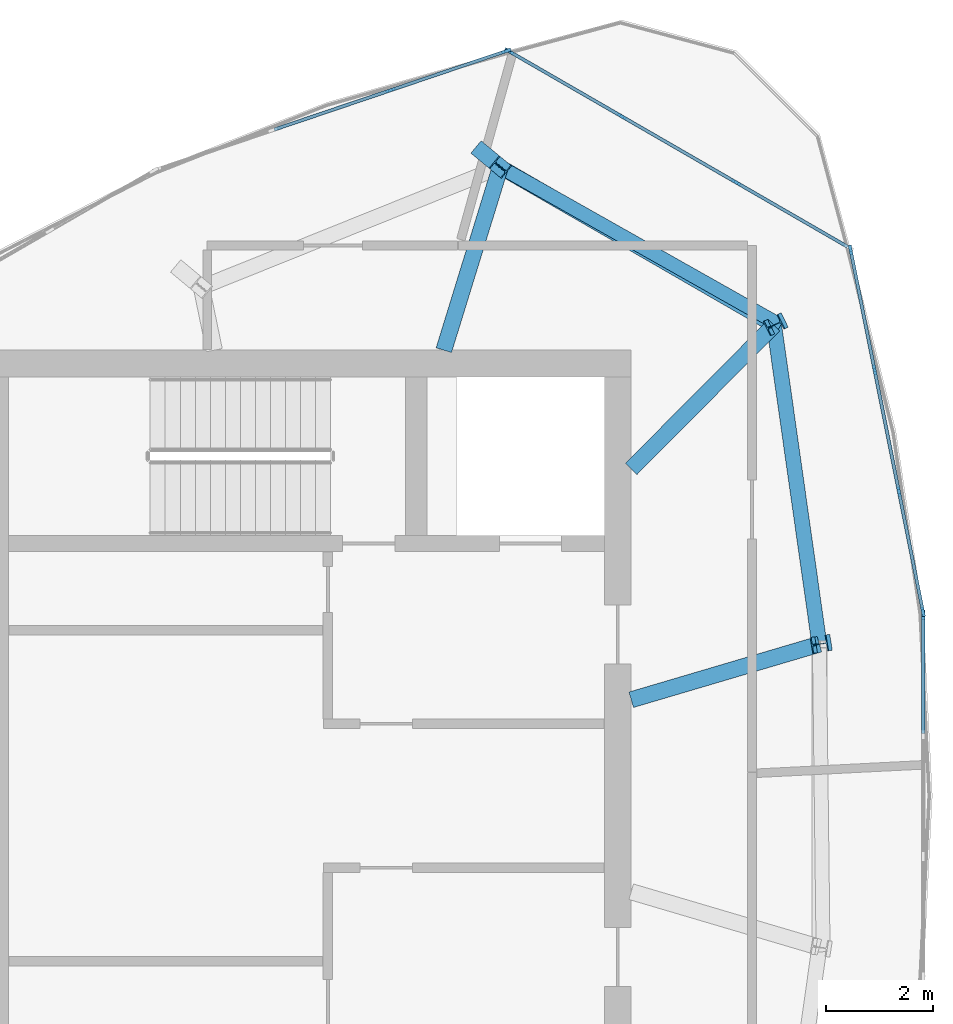
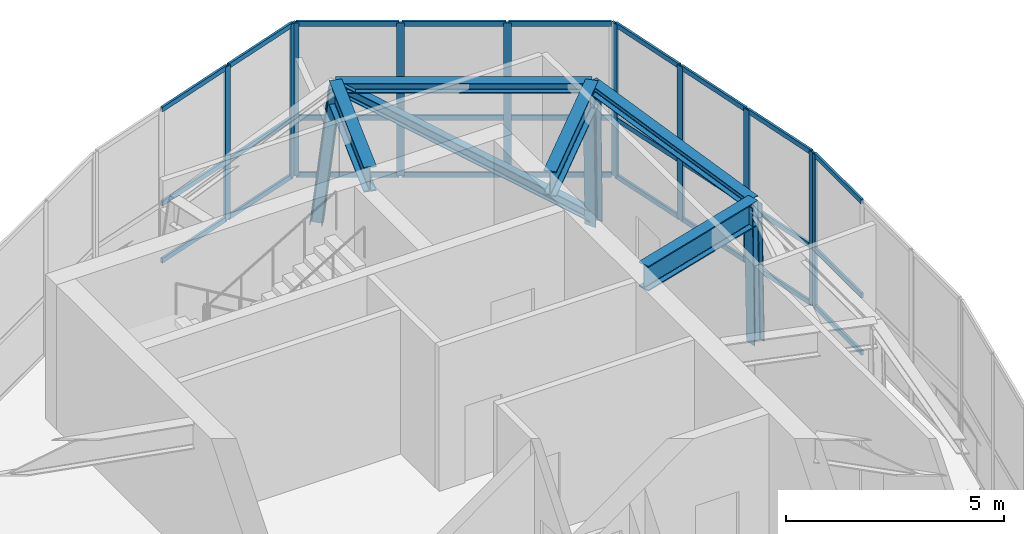
# One storey, part 4 of 10: 43 members, 3 beams, 4 elements without a shape of their own.
"""IFC4 building model written with IfcOpenShell, lengths in metres."""

from ifc_helpers import new_model, si_unit, direction, frame, origin, origin_2d, place, context, subcontext, project, spatial, rectangle, i_section, extrude, source, transform, mapped, material, layer, layer_set, material_profile, profile_set, type_object, element, aggregate, save


model = new_model("IFC4")

# Units and contexts
model_context = context("Model", 3, precision=1e-05, world=origin(), true_north=direction((0.0, 1.0)))
body_context = subcontext(model_context, "Body", "Model", "MODEL_VIEW")
ifc_project = project(units=[si_unit("LENGTHUNIT", "METRE"), si_unit("AREAUNIT", "SQUARE_METRE"), si_unit("VOLUMEUNIT", "CUBIC_METRE"), si_unit("PLANEANGLEUNIT", "RADIAN"), si_unit("MASSUNIT", "GRAM", prefix="KILO")], contexts=[model_context])

# Site, building, storey
site_placement = place(None, origin())
site = spatial("IfcSite", under=ifc_project, at=site_placement, CompositionType="ELEMENT")
building_placement = place(site_placement, origin())
building = spatial("IfcBuilding", under=site, at=building_placement, Name="Qafzar Sky-Pleat Residences", CompositionType="ELEMENT")
storey_placement = place(building_placement, frame((0.0, 0.0, 270.39990234375)))
storey = spatial("IfcBuildingStorey", under=building, at=storey_placement, Name="L80 Crown", CompositionType="ELEMENT", Elevation=270.39990234375)

# Members
ifc_material_1 = material(Name="Steel S460", Category="steel")
ifc_material_profile_1 = material_profile(ifc_material_1, i_section(OverallWidth=0.300048828125, OverallDepth=0.300048828125, WebThickness=0.010986328125, FlangeThickness=0.01904296875, FilletRadius=0.027099609375, at=origin_2d()), Name="HEB 300")
ifc_profile_set_1 = profile_set([ifc_material_profile_1], Name="Steel S460")
member_type_1 = type_object("IfcMemberType", Name="MEM-CROWN-RIB", PredefinedType="CHORD", material=ifc_profile_set_1)
shared_shape_1 = source(origin(), body_context, "Body", "SweptSolid", [
    extrude(i_section(OverallWidth=0.300048828125, OverallDepth=0.300048828125, WebThickness=0.010986328125, FlangeThickness=0.01904296875, FilletRadius=0.027099609375, at=origin_2d()), origin(), (0.0, 0.0, 1.0), 3.92041015625),
])
member_1_placement = place(storey_placement, frame((33.623779296875, 37.98974609375, 0.0), z_axis=(0.086060556338, -0.071177435524, 0.993744108569), x_axis=(0.637328040469, 0.770592608861, 0.0)))
element("IfcMember", 1, at=member_1_placement, inside=storey, type_object=member_type_1, Name="L80 Crown CROWN FRAME Inclined Rib 10", PredefinedType="CHORD", context=body_context, shape_type="MappedRepresentation", body=[
    mapped(shared_shape_1, transform((0.0, 0.0, 0.0), x_axis=(1.0, 0.0, 0.0), y_axis=(0.0, 1.0, 0.0), z_axis=(0.0, 0.0, 1.0), scale=1.0)),
])
shared_shape_2 = source(origin(), body_context, "Body", "SweptSolid", [
    extrude(i_section(OverallWidth=0.300048828125, OverallDepth=0.300048828125, WebThickness=0.010986328125, FlangeThickness=0.01904296875, FilletRadius=0.027099609375, at=origin_2d()), origin(), (0.0, 0.0, 1.0), 3.896728515625),
])
for number, where, z_axis, x_axis, name in (
    (2, (39.9736328125, 28.834716796875, 0.0), (-0.017605920467, -0.002882107977, 0.999840849845), (0.161550756622, -0.986864404584, 0.0), "L80 Crown CROWN FRAME Inclined Rib 8"),
    (3, (39.12353515625, 34.796630859375, 0.0), (-0.016039554791, -0.007831813863, 0.999840684996), (0.438769386115, -0.898599702764, 0.0), "L80 Crown CROWN FRAME Inclined Rib 9"),
):
    element("IfcMember", number, at=place(storey_placement, frame(where, z_axis=z_axis, x_axis=x_axis)), inside=storey, type_object=member_type_1, Name=name, PredefinedType="CHORD", context=body_context, shape_type="MappedRepresentation", body=[
        mapped(shared_shape_2, transform((0.0, 0.0, 0.0), x_axis=(1.0, 0.0, 0.0), y_axis=(0.0, 1.0, 0.0), z_axis=(0.0, 0.0, 1.0), scale=1.0)),
    ])
ifc_material_2 = material(Name="Steel S355", Category="steel")
ifc_material_profile_2 = material_profile(ifc_material_2, i_section(OverallWidth=0.280029296875, OverallDepth=0.280029296875, WebThickness=0.010498046875, FlangeThickness=0.01806640625, FilletRadius=0.02392578125, at=origin_2d()), Name="HEB 280")
ifc_profile_set_2 = profile_set([ifc_material_profile_2], Name="Steel S355")
member_type_2 = type_object("IfcMemberType", Name="MEM-CROWN-RING", PredefinedType="PURLIN", material=ifc_profile_set_2)
shared_shape_3 = source(origin(), body_context, "Body", "SweptSolid", [
    extrude(i_section(OverallWidth=0.280029296875, OverallDepth=0.280029296875, WebThickness=0.010498046875, FlangeThickness=0.01806640625, FilletRadius=0.02392578125, at=origin_2d()), origin(), (0.0, 0.0, 1.0), 5.888916015625),
])
member_2_placement = place(storey_placement, frame((39.06103515625, 34.76611328125, 3.906005859375), z_axis=(-0.866012294628, 0.500022705037, 0.0), x_axis=(-0.500022705037, -0.866012294628, 0.0)))
element("IfcMember", 4, at=member_2_placement, inside=storey, type_object=member_type_2, Name="L80 Crown CROWN FRAME Ring Beam 9", PredefinedType="PURLIN", context=body_context, shape_type="MappedRepresentation", body=[
    mapped(shared_shape_3, transform((0.0, 0.0, 0.0), x_axis=(1.0, 0.0, 0.0), y_axis=(0.0, 1.0, 0.0), z_axis=(0.0, 0.0, 1.0), scale=1.0)),
])
shared_shape_4 = source(origin(), body_context, "Body", "SweptSolid", [
    extrude(i_section(OverallWidth=0.280029296875, OverallDepth=0.280029296875, WebThickness=0.010498046875, FlangeThickness=0.01806640625, FilletRadius=0.02392578125, at=origin_2d()), origin(), (0.0, 0.0, 1.0), 6.002197265625),
])
member_3_placement = place(storey_placement, frame((39.905029296875, 28.823486328125, 3.906005859375), z_axis=(-0.140612694547, 0.990064679772, 0.0), x_axis=(-0.990064679772, -0.140612694547, 0.0)))
element("IfcMember", 5, at=member_3_placement, inside=storey, type_object=member_type_2, Name="L80 Crown CROWN FRAME Ring Beam 8", PredefinedType="PURLIN", context=body_context, shape_type="MappedRepresentation", body=[
    mapped(shared_shape_4, transform((0.0, 0.0, 0.0), x_axis=(1.0, 0.0, 0.0), y_axis=(0.0, 1.0, 0.0), z_axis=(0.0, 0.0, 1.0), scale=1.0)),
])
ifc_material_profile_3 = material_profile(ifc_material_2, i_section(OverallWidth=0.260009765625, OverallDepth=0.260009765625, WebThickness=0.010009765625, FlangeThickness=0.017578125, FilletRadius=0.02392578125, at=origin_2d()), Name="HEB 260")
ifc_profile_set_3 = profile_set([ifc_material_profile_3], Name="Steel S355")
member_type_3 = type_object("IfcMemberType", Name="MEM-CROWN-DIAG", PredefinedType="BRACE", material=ifc_profile_set_3)
shared_shape_5 = source(origin(), body_context, "Body", "SweptSolid", [
    extrude(i_section(OverallWidth=0.260009765625, OverallDepth=0.260009765625, WebThickness=0.010009765625, FlangeThickness=0.017578125, FilletRadius=0.02392578125, at=origin_2d()), origin(), (0.0, 0.0, 1.0), 6.996337890625),
])
member_4_placement = place(storey_placement, frame((39.12353515625, 34.796630859375, 0.2001953125), z_axis=(-0.737863354564, 0.416511563021, 0.531108075501), x_axis=(-0.49157270747, -0.870836536481, 0.0)))
element("IfcMember", 6, at=member_4_placement, inside=storey, type_object=member_type_3, Name="L80 Crown CROWN FRAME Wind Brace 9", PredefinedType="BRACE", context=body_context, shape_type="MappedRepresentation", body=[
    mapped(shared_shape_5, transform((0.0, 0.0, 0.0), x_axis=(1.0, 0.0, 0.0), y_axis=(0.0, 1.0, 0.0), z_axis=(0.0, 0.0, 1.0), scale=1.0)),
])

# Beams
ifc_material_profile_4 = material_profile(ifc_material_1, i_section(OverallWidth=0.300048828125, OverallDepth=0.699951171875, WebThickness=0.01708984375, FlangeThickness=0.031982421875, FilletRadius=0.027099609375, at=origin_2d()), Name="HEB 700")
ifc_profile_set_4 = profile_set([ifc_material_profile_4], Name="Steel S460")
beam_type = type_object("IfcBeamType", Name="BM-CHORD-HEB700", PredefinedType="BEAM", material=ifc_profile_set_4)
shared_shape_6 = source(origin(), body_context, "Body", "SweptSolid", [
    extrude(i_section(OverallWidth=0.300048828125, OverallDepth=0.699951171875, WebThickness=0.01708984375, FlangeThickness=0.031982421875, FilletRadius=0.027099609375, at=origin_2d()), origin(), (0.0, 0.0, 1.0), 3.569091796875),
])
beam_1_placement = place(storey_placement, frame((33.961181640625, 37.710693359375, 3.697998046875), z_axis=(-0.29468182556, -0.955595427827, 0.0), x_axis=(0.955595427827, -0.29468182556, 0.0)))
element("IfcBeam", 7, at=beam_1_placement, inside=storey, type_object=beam_type, Name="L81 Crown Crown Rib Base Transfer Beam 10", PredefinedType="BEAM", context=body_context, shape_type="MappedRepresentation", body=[
    mapped(shared_shape_6, transform((0.0, 0.0, 0.0), x_axis=(1.0, 0.0, 0.0), y_axis=(0.0, 1.0, 0.0), z_axis=(0.0, 0.0, 1.0), scale=1.0)),
])
shared_shape_7 = source(origin(), body_context, "Body", "SweptSolid", [
    extrude(i_section(OverallWidth=0.300048828125, OverallDepth=0.699951171875, WebThickness=0.01708984375, FlangeThickness=0.031982421875, FilletRadius=0.027099609375, at=origin_2d()), origin(), (0.0, 0.0, 1.0), 3.775146484375),
])
beam_2_placement = place(storey_placement, frame((39.06103515625, 34.76611328125, 3.697998046875), z_axis=(-0.70490457764, -0.709302147482, 0.0), x_axis=(0.709302147482, -0.70490457764, 0.0)))
element("IfcBeam", 8, at=beam_2_placement, inside=storey, type_object=beam_type, Name="L81 Crown Crown Rib Base Transfer Beam 9", PredefinedType="BEAM", context=body_context, shape_type="MappedRepresentation", body=[
    mapped(shared_shape_7, transform((0.0, 0.0, 0.0), x_axis=(1.0, 0.0, 0.0), y_axis=(0.0, 1.0, 0.0), z_axis=(0.0, 0.0, 1.0), scale=1.0)),
])
shared_shape_8 = source(origin(), body_context, "Body", "SweptSolid", [
    extrude(i_section(OverallWidth=0.300048828125, OverallDepth=0.699951171875, WebThickness=0.01708984375, FlangeThickness=0.031982421875, FilletRadius=0.027099609375, at=origin_2d()), origin(), (0.0, 0.0, 1.0), 3.655029296875),
])
beam_3_placement = place(storey_placement, frame((39.905029296875, 28.823486328125, 3.697998046875), z_axis=(-0.959014820317, -0.28335591473, 0.0), x_axis=(0.28335591473, -0.959014820317, 0.0)))
element("IfcBeam", 9, at=beam_3_placement, inside=storey, type_object=beam_type, Name="L81 Crown Crown Rib Base Transfer Beam 8", PredefinedType="BEAM", context=body_context, shape_type="MappedRepresentation", body=[
    mapped(shared_shape_8, transform((0.0, 0.0, 0.0), x_axis=(1.0, 0.0, 0.0), y_axis=(0.0, 1.0, 0.0), z_axis=(0.0, 0.0, 1.0), scale=1.0)),
])

# Curtain wall, member
ifc_material_3 = material(Name="Anodised bronze aluminium framing", Category="aluminium")
ifc_layer = layer(ifc_material_3, 0.179931640625)
ifc_layer_set = layer_set([ifc_layer], Name="Anodised bronze aluminium framing")
curtain_wall_type = type_object("IfcCurtainWallType", Name="CW-SYS-06", PredefinedType="NOTDEFINED", material=ifc_layer_set)
curtain_wall_1_placement = place(storey_placement, origin())
curtain_wall_1 = element("IfcCurtainWall", 10, at=curtain_wall_1_placement, inside=storey, type_object=curtain_wall_type, Name="L80 Crown CW-06 Curtain Wall CW-CROWN-05-07", PredefinedType="NOTDEFINED")
ifc_material_4 = material(Name="Anodised bronze aluminium", Category="aluminium")
ifc_material_profile_5 = material_profile(ifc_material_4, rectangle(XDim=0.06005859375, YDim=0.179931640625, at=origin_2d()), Name="ALU MULLION 60x180")
ifc_profile_set_5 = profile_set([ifc_material_profile_5], Name="Anodised bronze aluminium")
member_type_4 = type_object("IfcMemberType", Name="CWM-06", PredefinedType="MULLION", material=ifc_profile_set_5)
shared_shape_9 = source(origin(), body_context, "Body", "SweptSolid", [
    extrude(rectangle(XDim=0.06005859375, YDim=0.179931640625, at=origin_2d()), origin(), (0.0, 0.0, 1.0), 4.300048828125),
])
member_5_placement = place(storey_placement, frame((41.840087890625, 29.368896484375, 0.0), z_axis=(0.0, 0.0, 1.0), x_axis=(-1.0, 0.0, 0.0)))
member_5 = element("IfcMember", 11, at=member_5_placement, type_object=member_type_4, Name="CW-06 mullion 4", PredefinedType="MULLION", context=body_context, shape_type="MappedRepresentation", body=[
    mapped(shared_shape_9, transform((0.0, 0.0, 0.0), x_axis=(1.0, 0.0, 0.0), y_axis=(0.0, 1.0, 0.0), z_axis=(0.0, 0.0, 1.0), scale=1.0)),
])

# Curtain wall, members
curtain_wall_2_placement = place(storey_placement, origin())
curtain_wall_2 = element("IfcCurtainWall", 12, at=curtain_wall_2_placement, inside=storey, type_object=curtain_wall_type, Name="L80 Crown CW-06 Curtain Wall CW-CROWN-05-08", PredefinedType="NOTDEFINED")
member_6_placement = place(storey_placement, frame((41.834228515625, 29.428466796875, 0.0), z_axis=(0.0, 0.0, 1.0), x_axis=(-0.980580675691, -0.196116135138, 0.0)))
member_6 = element("IfcMember", 13, at=member_6_placement, type_object=member_type_4, Name="CW-06 mullion 1", PredefinedType="MULLION", context=body_context, shape_type="MappedRepresentation", body=[
    mapped(shared_shape_9, transform((0.0, 0.0, 0.0), x_axis=(1.0, 0.0, 0.0), y_axis=(0.0, 1.0, 0.0), z_axis=(0.0, 0.0, 1.0), scale=1.0)),
])
member_7_placement = place(storey_placement, frame((41.386962890625, 31.6650390625, 0.0), z_axis=(0.0, 0.0, 1.0), x_axis=(-0.980580675691, -0.196116135138, 0.0)))
member_7 = element("IfcMember", 14, at=member_7_placement, type_object=member_type_4, Name="CW-06 mullion 2", PredefinedType="MULLION", context=body_context, shape_type="MappedRepresentation", body=[
    mapped(shared_shape_9, transform((0.0, 0.0, 0.0), x_axis=(1.0, 0.0, 0.0), y_axis=(0.0, 1.0, 0.0), z_axis=(0.0, 0.0, 1.0), scale=1.0)),
])
member_8_placement = place(storey_placement, frame((40.933837890625, 33.930908203125, 0.0), z_axis=(0.0, 0.0, 1.0), x_axis=(-0.980580675691, -0.196116135138, 0.0)))
member_8 = element("IfcMember", 15, at=member_8_placement, type_object=member_type_4, Name="CW-06 mullion 3", PredefinedType="MULLION", context=body_context, shape_type="MappedRepresentation", body=[
    mapped(shared_shape_9, transform((0.0, 0.0, 0.0), x_axis=(1.0, 0.0, 0.0), y_axis=(0.0, 1.0, 0.0), z_axis=(0.0, 0.0, 1.0), scale=1.0)),
])
member_9_placement = place(storey_placement, frame((40.486572265625, 36.16748046875, 0.0), z_axis=(0.0, 0.0, 1.0), x_axis=(-0.980580675691, -0.196116135138, 0.0)))
member_9 = element("IfcMember", 16, at=member_9_placement, type_object=member_type_4, Name="CW-06 mullion 4", PredefinedType="MULLION", context=body_context, shape_type="MappedRepresentation", body=[
    mapped(shared_shape_9, transform((0.0, 0.0, 0.0), x_axis=(1.0, 0.0, 0.0), y_axis=(0.0, 1.0, 0.0), z_axis=(0.0, 0.0, 1.0), scale=1.0)),
])

curtain_wall_3_placement = place(storey_placement, origin())
curtain_wall_3 = element("IfcCurtainWall", 17, at=curtain_wall_3_placement, inside=storey, type_object=curtain_wall_type, Name="L80 Crown CW-06 Curtain Wall CW-CROWN-05-09", PredefinedType="NOTDEFINED")
member_10_placement = place(storey_placement, frame((38.35400390625, 37.4248046875, 0.0), z_axis=(0.0, 0.0, 1.0), x_axis=(-0.500000537791, -0.86602509329, 0.0)))
member_10 = element("IfcMember", 18, at=member_10_placement, type_object=member_type_4, Name="CW-06 mullion 2", PredefinedType="MULLION", context=body_context, shape_type="MappedRepresentation", body=[
    mapped(shared_shape_9, transform((0.0, 0.0, 0.0), x_axis=(1.0, 0.0, 0.0), y_axis=(0.0, 1.0, 0.0), z_axis=(0.0, 0.0, 1.0), scale=1.0)),
])
member_11_placement = place(storey_placement, frame((36.227294921875, 38.652587890625, 0.0), z_axis=(0.0, 0.0, 1.0), x_axis=(-0.500000537791, -0.86602509329, 0.0)))
member_11 = element("IfcMember", 19, at=member_11_placement, type_object=member_type_4, Name="CW-06 mullion 3", PredefinedType="MULLION", context=body_context, shape_type="MappedRepresentation", body=[
    mapped(shared_shape_9, transform((0.0, 0.0, 0.0), x_axis=(1.0, 0.0, 0.0), y_axis=(0.0, 1.0, 0.0), z_axis=(0.0, 0.0, 1.0), scale=1.0)),
])
member_12_placement = place(storey_placement, frame((34.12646484375, 39.865478515625, 0.0), z_axis=(0.0, 0.0, 1.0), x_axis=(-0.500000537791, -0.86602509329, 0.0)))
member_12 = element("IfcMember", 20, at=member_12_placement, type_object=member_type_4, Name="CW-06 mullion 4", PredefinedType="MULLION", context=body_context, shape_type="MappedRepresentation", body=[
    mapped(shared_shape_9, transform((0.0, 0.0, 0.0), x_axis=(1.0, 0.0, 0.0), y_axis=(0.0, 1.0, 0.0), z_axis=(0.0, 0.0, 1.0), scale=1.0)),
])

curtain_wall_4_placement = place(storey_placement, origin())
curtain_wall_4 = element("IfcCurtainWall", 21, at=curtain_wall_4_placement, inside=storey, type_object=curtain_wall_type, Name="L80 Crown CW-06 Curtain Wall CW-CROWN-05-10", PredefinedType="NOTDEFINED")
member_13_placement = place(storey_placement, frame((34.072265625, 39.870849609375, 0.0), z_axis=(0.0, 0.0, 1.0), x_axis=(0.320439473508, -0.947268992324, 0.0)))
member_13 = element("IfcMember", 22, at=member_13_placement, type_object=member_type_4, Name="CW-06 mullion 1", PredefinedType="MULLION", context=body_context, shape_type="MappedRepresentation", body=[
    mapped(shared_shape_9, transform((0.0, 0.0, 0.0), x_axis=(1.0, 0.0, 0.0), y_axis=(0.0, 1.0, 0.0), z_axis=(0.0, 0.0, 1.0), scale=1.0)),
])
member_14_placement = place(storey_placement, frame((31.91162109375, 39.139892578125, 0.0), z_axis=(0.0, 0.0, 1.0), x_axis=(0.320439473508, -0.947268992324, 0.0)))
member_14 = element("IfcMember", 23, at=member_14_placement, type_object=member_type_4, Name="CW-06 mullion 2", PredefinedType="MULLION", context=body_context, shape_type="MappedRepresentation", body=[
    mapped(shared_shape_9, transform((0.0, 0.0, 0.0), x_axis=(1.0, 0.0, 0.0), y_axis=(0.0, 1.0, 0.0), z_axis=(0.0, 0.0, 1.0), scale=1.0)),
])

# Member
ifc_material_profile_6 = material_profile(ifc_material_4, rectangle(XDim=0.06005859375, YDim=0.135009765625, at=origin_2d()), Name="ALU TRANSOM 60x135")
ifc_profile_set_6 = profile_set([ifc_material_profile_6], Name="Anodised bronze aluminium")
member_type_5 = type_object("IfcMemberType", Name="CWT-06", PredefinedType="USERDEFINED", material=ifc_profile_set_6)
shared_shape_10 = source(origin(), body_context, "Body", "SweptSolid", [
    extrude(rectangle(XDim=0.06005859375, YDim=0.135009765625, at=origin_2d()), origin(), (0.0, 0.0, 1.0), 2.36572265625),
])
member_15_placement = place(storey_placement, frame((40.4287109375, 36.22705078125, 0.030029296875), z_axis=(-0.866030920585, 0.499990444499, 0.0), x_axis=(-0.499990444499, -0.866030920585, 0.0)))
member_15 = element("IfcMember", 24, at=member_15_placement, type_object=member_type_5, Name="CW-06 transom 1.1", ObjectType="TRANSOM", PredefinedType="USERDEFINED", context=body_context, shape_type="MappedRepresentation", body=[
    mapped(shared_shape_10, transform((0.0, 0.0, 0.0), x_axis=(1.0, 0.0, 0.0), y_axis=(0.0, 1.0, 0.0), z_axis=(0.0, 0.0, 1.0), scale=1.0)),
])

member_16_placement = place(storey_placement, frame((40.4287109375, 36.22705078125, 1.634033203125), z_axis=(-0.866030920585, 0.499990444499, 0.0), x_axis=(-0.499990444499, -0.866030920585, 0.0)))
member_16 = element("IfcMember", 25, at=member_16_placement, type_object=member_type_5, Name="CW-06 transom 1.2", ObjectType="TRANSOM", PredefinedType="USERDEFINED", context=body_context, shape_type="MappedRepresentation", body=[
    mapped(shared_shape_10, transform((0.0, 0.0, 0.0), x_axis=(1.0, 0.0, 0.0), y_axis=(0.0, 1.0, 0.0), z_axis=(0.0, 0.0, 1.0), scale=1.0)),
])

member_17_placement = place(storey_placement, frame((40.4287109375, 36.22705078125, 4.27001953125), z_axis=(-0.866030920585, 0.499990444499, 0.0), x_axis=(-0.499990444499, -0.866030920585, 0.0)))
member_17 = element("IfcMember", 26, at=member_17_placement, type_object=member_type_5, Name="CW-06 transom 1.3", ObjectType="TRANSOM", PredefinedType="USERDEFINED", context=body_context, shape_type="MappedRepresentation", body=[
    mapped(shared_shape_10, transform((0.0, 0.0, 0.0), x_axis=(1.0, 0.0, 0.0), y_axis=(0.0, 1.0, 0.0), z_axis=(0.0, 0.0, 1.0), scale=1.0)),
])

shared_shape_11 = source(origin(), body_context, "Body", "SweptSolid", [
    extrude(rectangle(XDim=0.06005859375, YDim=0.135009765625, at=origin_2d()), origin(), (0.0, 0.0, 1.0), 2.3955078125),
])
member_18_placement = place(storey_placement, frame((38.327880859375, 37.43994140625, 0.030029296875), z_axis=(-0.866039638822, 0.499975343382, 0.0), x_axis=(-0.499975343382, -0.866039638822, 0.0)))
member_18 = element("IfcMember", 27, at=member_18_placement, type_object=member_type_5, Name="CW-06 transom 2.1", ObjectType="TRANSOM", PredefinedType="USERDEFINED", context=body_context, shape_type="MappedRepresentation", body=[
    mapped(shared_shape_11, transform((0.0, 0.0, 0.0), x_axis=(1.0, 0.0, 0.0), y_axis=(0.0, 1.0, 0.0), z_axis=(0.0, 0.0, 1.0), scale=1.0)),
])

member_19_placement = place(storey_placement, frame((38.327880859375, 37.43994140625, 1.634033203125), z_axis=(-0.866039638822, 0.499975343382, 0.0), x_axis=(-0.499975343382, -0.866039638822, 0.0)))
member_19 = element("IfcMember", 28, at=member_19_placement, type_object=member_type_5, Name="CW-06 transom 2.2", ObjectType="TRANSOM", PredefinedType="USERDEFINED", context=body_context, shape_type="MappedRepresentation", body=[
    mapped(shared_shape_11, transform((0.0, 0.0, 0.0), x_axis=(1.0, 0.0, 0.0), y_axis=(0.0, 1.0, 0.0), z_axis=(0.0, 0.0, 1.0), scale=1.0)),
])

member_20_placement = place(storey_placement, frame((38.327880859375, 37.43994140625, 4.27001953125), z_axis=(-0.866039638822, 0.499975343382, 0.0), x_axis=(-0.499975343382, -0.866039638822, 0.0)))
member_20 = element("IfcMember", 29, at=member_20_placement, type_object=member_type_5, Name="CW-06 transom 2.3", ObjectType="TRANSOM", PredefinedType="USERDEFINED", context=body_context, shape_type="MappedRepresentation", body=[
    mapped(shared_shape_11, transform((0.0, 0.0, 0.0), x_axis=(1.0, 0.0, 0.0), y_axis=(0.0, 1.0, 0.0), z_axis=(0.0, 0.0, 1.0), scale=1.0)),
])

shared_shape_12 = source(origin(), body_context, "Body", "SweptSolid", [
    extrude(rectangle(XDim=0.06005859375, YDim=0.135009765625, at=origin_2d()), origin(), (0.0, 0.0, 1.0), 2.220947265625),
])
member_21_placement = place(storey_placement, frame((41.828369140625, 29.457763671875, 0.030029296875), z_axis=(-0.196116135138, 0.980580675691, 0.0), x_axis=(-0.980580675691, -0.196116135138, 0.0)))
member_21 = element("IfcMember", 30, at=member_21_placement, type_object=member_type_5, Name="CW-06 transom 1.1", ObjectType="TRANSOM", PredefinedType="USERDEFINED", context=body_context, shape_type="MappedRepresentation", body=[
    mapped(shared_shape_12, transform((0.0, 0.0, 0.0), x_axis=(1.0, 0.0, 0.0), y_axis=(0.0, 1.0, 0.0), z_axis=(0.0, 0.0, 1.0), scale=1.0)),
])

member_22_placement = place(storey_placement, frame((41.828369140625, 29.457763671875, 1.634033203125), z_axis=(-0.196116135138, 0.980580675691, 0.0), x_axis=(-0.980580675691, -0.196116135138, 0.0)))
member_22 = element("IfcMember", 31, at=member_22_placement, type_object=member_type_5, Name="CW-06 transom 1.2", ObjectType="TRANSOM", PredefinedType="USERDEFINED", context=body_context, shape_type="MappedRepresentation", body=[
    mapped(shared_shape_12, transform((0.0, 0.0, 0.0), x_axis=(1.0, 0.0, 0.0), y_axis=(0.0, 1.0, 0.0), z_axis=(0.0, 0.0, 1.0), scale=1.0)),
])

member_23_placement = place(storey_placement, frame((41.828369140625, 29.457763671875, 4.27001953125), z_axis=(-0.196116135138, 0.980580675691, 0.0), x_axis=(-0.980580675691, -0.196116135138, 0.0)))
member_23 = element("IfcMember", 32, at=member_23_placement, type_object=member_type_5, Name="CW-06 transom 1.3", ObjectType="TRANSOM", PredefinedType="USERDEFINED", context=body_context, shape_type="MappedRepresentation", body=[
    mapped(shared_shape_12, transform((0.0, 0.0, 0.0), x_axis=(1.0, 0.0, 0.0), y_axis=(0.0, 1.0, 0.0), z_axis=(0.0, 0.0, 1.0), scale=1.0)),
])

member_24_placement = place(storey_placement, frame((40.927978515625, 33.96044921875, 0.030029296875), z_axis=(-0.196116135138, 0.980580675691, 0.0), x_axis=(-0.980580675691, -0.196116135138, 0.0)))
member_24 = element("IfcMember", 33, at=member_24_placement, type_object=member_type_5, Name="CW-06 transom 3.1", ObjectType="TRANSOM", PredefinedType="USERDEFINED", context=body_context, shape_type="MappedRepresentation", body=[
    mapped(shared_shape_12, transform((0.0, 0.0, 0.0), x_axis=(1.0, 0.0, 0.0), y_axis=(0.0, 1.0, 0.0), z_axis=(0.0, 0.0, 1.0), scale=1.0)),
])

member_25_placement = place(storey_placement, frame((40.927978515625, 33.96044921875, 1.634033203125), z_axis=(-0.196116135138, 0.980580675691, 0.0), x_axis=(-0.980580675691, -0.196116135138, 0.0)))
member_25 = element("IfcMember", 34, at=member_25_placement, type_object=member_type_5, Name="CW-06 transom 3.2", ObjectType="TRANSOM", PredefinedType="USERDEFINED", context=body_context, shape_type="MappedRepresentation", body=[
    mapped(shared_shape_12, transform((0.0, 0.0, 0.0), x_axis=(1.0, 0.0, 0.0), y_axis=(0.0, 1.0, 0.0), z_axis=(0.0, 0.0, 1.0), scale=1.0)),
])

member_26_placement = place(storey_placement, frame((40.927978515625, 33.96044921875, 4.27001953125), z_axis=(-0.196116135138, 0.980580675691, 0.0), x_axis=(-0.980580675691, -0.196116135138, 0.0)))
member_26 = element("IfcMember", 35, at=member_26_placement, type_object=member_type_5, Name="CW-06 transom 3.3", ObjectType="TRANSOM", PredefinedType="USERDEFINED", context=body_context, shape_type="MappedRepresentation", body=[
    mapped(shared_shape_12, transform((0.0, 0.0, 0.0), x_axis=(1.0, 0.0, 0.0), y_axis=(0.0, 1.0, 0.0), z_axis=(0.0, 0.0, 1.0), scale=1.0)),
])

member_27_placement = place(storey_placement, frame((34.043701171875, 39.861328125, 0.030029296875), z_axis=(-0.947266802328, -0.320445947405, 0.0), x_axis=(0.320445947405, -0.947266802328, 0.0)))
member_27 = element("IfcMember", 36, at=member_27_placement, type_object=member_type_5, Name="CW-06 transom 1.1", ObjectType="TRANSOM", PredefinedType="USERDEFINED", context=body_context, shape_type="MappedRepresentation", body=[
    mapped(shared_shape_12, transform((0.0, 0.0, 0.0), x_axis=(1.0, 0.0, 0.0), y_axis=(0.0, 1.0, 0.0), z_axis=(0.0, 0.0, 1.0), scale=1.0)),
])

member_28_placement = place(storey_placement, frame((34.043701171875, 39.861328125, 1.634033203125), z_axis=(-0.947266802328, -0.320445947405, 0.0), x_axis=(0.320445947405, -0.947266802328, 0.0)))
member_28 = element("IfcMember", 37, at=member_28_placement, type_object=member_type_5, Name="CW-06 transom 1.2", ObjectType="TRANSOM", PredefinedType="USERDEFINED", context=body_context, shape_type="MappedRepresentation", body=[
    mapped(shared_shape_12, transform((0.0, 0.0, 0.0), x_axis=(1.0, 0.0, 0.0), y_axis=(0.0, 1.0, 0.0), z_axis=(0.0, 0.0, 1.0), scale=1.0)),
])

member_29_placement = place(storey_placement, frame((34.043701171875, 39.861328125, 4.27001953125), z_axis=(-0.947266802328, -0.320445947405, 0.0), x_axis=(0.320445947405, -0.947266802328, 0.0)))
member_29 = element("IfcMember", 38, at=member_29_placement, type_object=member_type_5, Name="CW-06 transom 1.3", ObjectType="TRANSOM", PredefinedType="USERDEFINED", context=body_context, shape_type="MappedRepresentation", body=[
    mapped(shared_shape_12, transform((0.0, 0.0, 0.0), x_axis=(1.0, 0.0, 0.0), y_axis=(0.0, 1.0, 0.0), z_axis=(0.0, 0.0, 1.0), scale=1.0)),
])

shared_shape_13 = source(origin(), body_context, "Body", "SweptSolid", [
    extrude(rectangle(XDim=0.06005859375, YDim=0.135009765625, at=origin_2d()), origin(), (0.0, 0.0, 1.0), 2.250732421875),
])
member_30_placement = place(storey_placement, frame((31.883056640625, 39.13037109375, 0.030029296875), z_axis=(-0.947274738372, -0.320422486792, 0.0), x_axis=(0.320422486792, -0.947274738372, 0.0)))
member_30 = element("IfcMember", 39, at=member_30_placement, type_object=member_type_5, Name="CW-06 transom 2.1", ObjectType="TRANSOM", PredefinedType="USERDEFINED", context=body_context, shape_type="MappedRepresentation", body=[
    mapped(shared_shape_13, transform((0.0, 0.0, 0.0), x_axis=(1.0, 0.0, 0.0), y_axis=(0.0, 1.0, 0.0), z_axis=(0.0, 0.0, 1.0), scale=1.0)),
])

member_31_placement = place(storey_placement, frame((31.883056640625, 39.13037109375, 1.634033203125), z_axis=(-0.947274738372, -0.320422486792, 0.0), x_axis=(0.320422486792, -0.947274738372, 0.0)))
member_31 = element("IfcMember", 40, at=member_31_placement, type_object=member_type_5, Name="CW-06 transom 2.2", ObjectType="TRANSOM", PredefinedType="USERDEFINED", context=body_context, shape_type="MappedRepresentation", body=[
    mapped(shared_shape_13, transform((0.0, 0.0, 0.0), x_axis=(1.0, 0.0, 0.0), y_axis=(0.0, 1.0, 0.0), z_axis=(0.0, 0.0, 1.0), scale=1.0)),
])

member_32_placement = place(storey_placement, frame((31.883056640625, 39.13037109375, 4.27001953125), z_axis=(-0.947274738372, -0.320422486792, 0.0), x_axis=(0.320422486792, -0.947274738372, 0.0)))
member_32 = element("IfcMember", 41, at=member_32_placement, type_object=member_type_5, Name="CW-06 transom 2.3", ObjectType="TRANSOM", PredefinedType="USERDEFINED", context=body_context, shape_type="MappedRepresentation", body=[
    mapped(shared_shape_13, transform((0.0, 0.0, 0.0), x_axis=(1.0, 0.0, 0.0), y_axis=(0.0, 1.0, 0.0), z_axis=(0.0, 0.0, 1.0), scale=1.0)),
])

aggregate(curtain_wall_4, [member_13, member_14, member_27, member_28, member_29, member_30, member_31, member_32])

shared_shape_14 = source(origin(), body_context, "Body", "SweptSolid", [
    extrude(rectangle(XDim=0.06005859375, YDim=0.135009765625, at=origin_2d()), origin(), (0.0, 0.0, 1.0), 2.176025390625),
])
member_33_placement = place(storey_placement, frame((41.840087890625, 27.1630859375, 0.030029296875), z_axis=(0.0, 1.0, 0.0), x_axis=(-1.0, 0.0, 0.0)))
member_33 = element("IfcMember", 42, at=member_33_placement, type_object=member_type_5, Name="CW-06 transom 3.1", ObjectType="TRANSOM", PredefinedType="USERDEFINED", context=body_context, shape_type="MappedRepresentation", body=[
    mapped(shared_shape_14, transform((0.0, 0.0, 0.0), x_axis=(1.0, 0.0, 0.0), y_axis=(0.0, 1.0, 0.0), z_axis=(0.0, 0.0, 1.0), scale=1.0)),
])

member_34_placement = place(storey_placement, frame((41.840087890625, 27.1630859375, 1.634033203125), z_axis=(0.0, 1.0, 0.0), x_axis=(-1.0, 0.0, 0.0)))
member_34 = element("IfcMember", 43, at=member_34_placement, type_object=member_type_5, Name="CW-06 transom 3.2", ObjectType="TRANSOM", PredefinedType="USERDEFINED", context=body_context, shape_type="MappedRepresentation", body=[
    mapped(shared_shape_14, transform((0.0, 0.0, 0.0), x_axis=(1.0, 0.0, 0.0), y_axis=(0.0, 1.0, 0.0), z_axis=(0.0, 0.0, 1.0), scale=1.0)),
])

member_35_placement = place(storey_placement, frame((41.840087890625, 27.1630859375, 4.27001953125), z_axis=(0.0, 1.0, 0.0), x_axis=(-1.0, 0.0, 0.0)))
member_35 = element("IfcMember", 44, at=member_35_placement, type_object=member_type_5, Name="CW-06 transom 3.3", ObjectType="TRANSOM", PredefinedType="USERDEFINED", context=body_context, shape_type="MappedRepresentation", body=[
    mapped(shared_shape_14, transform((0.0, 0.0, 0.0), x_axis=(1.0, 0.0, 0.0), y_axis=(0.0, 1.0, 0.0), z_axis=(0.0, 0.0, 1.0), scale=1.0)),
])

aggregate(curtain_wall_1, [member_5, member_33, member_34, member_35])

shared_shape_15 = source(origin(), body_context, "Body", "SweptSolid", [
    extrude(rectangle(XDim=0.06005859375, YDim=0.135009765625, at=origin_2d()), origin(), (0.0, 0.0, 1.0), 2.365478515625),
])
member_36_placement = place(storey_placement, frame((36.201171875, 38.667724609375, 0.030029296875), z_axis=(-0.866005118812, 0.500035132957, 0.0), x_axis=(-0.500035132957, -0.866005118812, 0.0)))
member_36 = element("IfcMember", 45, at=member_36_placement, type_object=member_type_5, Name="CW-06 transom 3.1", ObjectType="TRANSOM", PredefinedType="USERDEFINED", context=body_context, shape_type="MappedRepresentation", body=[
    mapped(shared_shape_15, transform((0.0, 0.0, 0.0), x_axis=(1.0, 0.0, 0.0), y_axis=(0.0, 1.0, 0.0), z_axis=(0.0, 0.0, 1.0), scale=1.0)),
])

member_37_placement = place(storey_placement, frame((36.201171875, 38.667724609375, 1.634033203125), z_axis=(-0.866005118812, 0.500035132957, 0.0), x_axis=(-0.500035132957, -0.866005118812, 0.0)))
member_37 = element("IfcMember", 46, at=member_37_placement, type_object=member_type_5, Name="CW-06 transom 3.2", ObjectType="TRANSOM", PredefinedType="USERDEFINED", context=body_context, shape_type="MappedRepresentation", body=[
    mapped(shared_shape_15, transform((0.0, 0.0, 0.0), x_axis=(1.0, 0.0, 0.0), y_axis=(0.0, 1.0, 0.0), z_axis=(0.0, 0.0, 1.0), scale=1.0)),
])

member_38_placement = place(storey_placement, frame((36.201171875, 38.667724609375, 4.27001953125), z_axis=(-0.866005118812, 0.500035132957, 0.0), x_axis=(-0.500035132957, -0.866005118812, 0.0)))
member_38 = element("IfcMember", 47, at=member_38_placement, type_object=member_type_5, Name="CW-06 transom 3.3", ObjectType="TRANSOM", PredefinedType="USERDEFINED", context=body_context, shape_type="MappedRepresentation", body=[
    mapped(shared_shape_15, transform((0.0, 0.0, 0.0), x_axis=(1.0, 0.0, 0.0), y_axis=(0.0, 1.0, 0.0), z_axis=(0.0, 0.0, 1.0), scale=1.0)),
])

aggregate(curtain_wall_3, [member_10, member_11, member_12, member_15, member_16, member_17, member_18, member_19, member_20, member_36, member_37, member_38])

shared_shape_16 = source(origin(), body_context, "Body", "SweptSolid", [
    extrude(rectangle(XDim=0.06005859375, YDim=0.135009765625, at=origin_2d()), origin(), (0.0, 0.0, 1.0), 2.2509765625),
])
member_39_placement = place(storey_placement, frame((41.381103515625, 31.6943359375, 0.030029296875), z_axis=(-0.196095277444, 0.980584846999, 0.0), x_axis=(-0.980584846999, -0.196095277444, 0.0)))
member_39 = element("IfcMember", 48, at=member_39_placement, type_object=member_type_5, Name="CW-06 transom 2.1", ObjectType="TRANSOM", PredefinedType="USERDEFINED", context=body_context, shape_type="MappedRepresentation", body=[
    mapped(shared_shape_16, transform((0.0, 0.0, 0.0), x_axis=(1.0, 0.0, 0.0), y_axis=(0.0, 1.0, 0.0), z_axis=(0.0, 0.0, 1.0), scale=1.0)),
])

member_40_placement = place(storey_placement, frame((41.381103515625, 31.6943359375, 1.634033203125), z_axis=(-0.196095277444, 0.980584846999, 0.0), x_axis=(-0.980584846999, -0.196095277444, 0.0)))
member_40 = element("IfcMember", 49, at=member_40_placement, type_object=member_type_5, Name="CW-06 transom 2.2", ObjectType="TRANSOM", PredefinedType="USERDEFINED", context=body_context, shape_type="MappedRepresentation", body=[
    mapped(shared_shape_16, transform((0.0, 0.0, 0.0), x_axis=(1.0, 0.0, 0.0), y_axis=(0.0, 1.0, 0.0), z_axis=(0.0, 0.0, 1.0), scale=1.0)),
])

member_41_placement = place(storey_placement, frame((41.381103515625, 31.6943359375, 4.27001953125), z_axis=(-0.196095277444, 0.980584846999, 0.0), x_axis=(-0.980584846999, -0.196095277444, 0.0)))
member_41 = element("IfcMember", 50, at=member_41_placement, type_object=member_type_5, Name="CW-06 transom 2.3", ObjectType="TRANSOM", PredefinedType="USERDEFINED", context=body_context, shape_type="MappedRepresentation", body=[
    mapped(shared_shape_16, transform((0.0, 0.0, 0.0), x_axis=(1.0, 0.0, 0.0), y_axis=(0.0, 1.0, 0.0), z_axis=(0.0, 0.0, 1.0), scale=1.0)),
])

aggregate(curtain_wall_2, [member_6, member_7, member_8, member_9, member_21, member_22, member_23, member_39, member_40, member_41, member_24, member_25, member_26])

save(model, "model.ifc")
